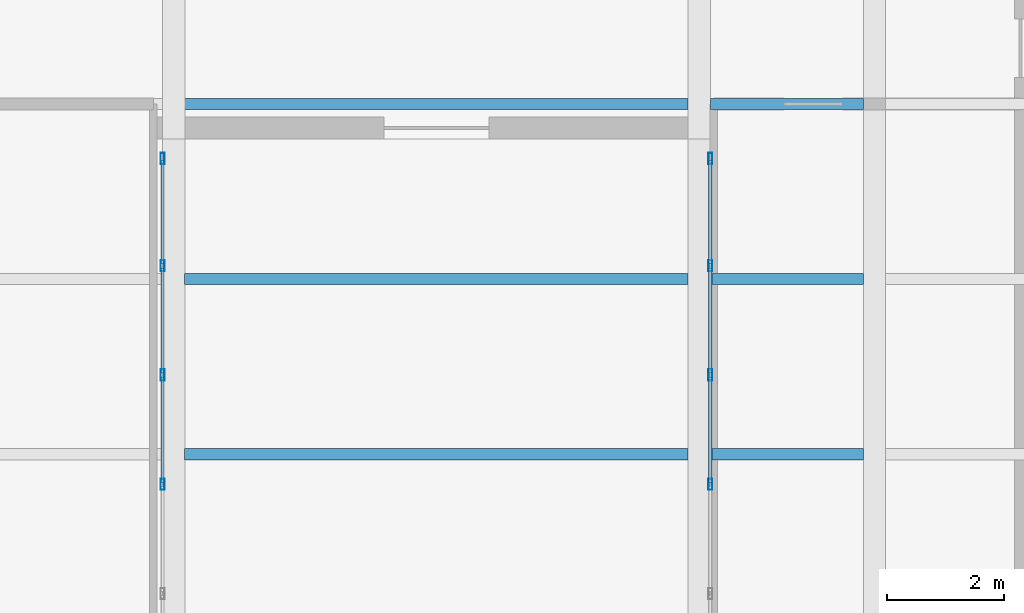
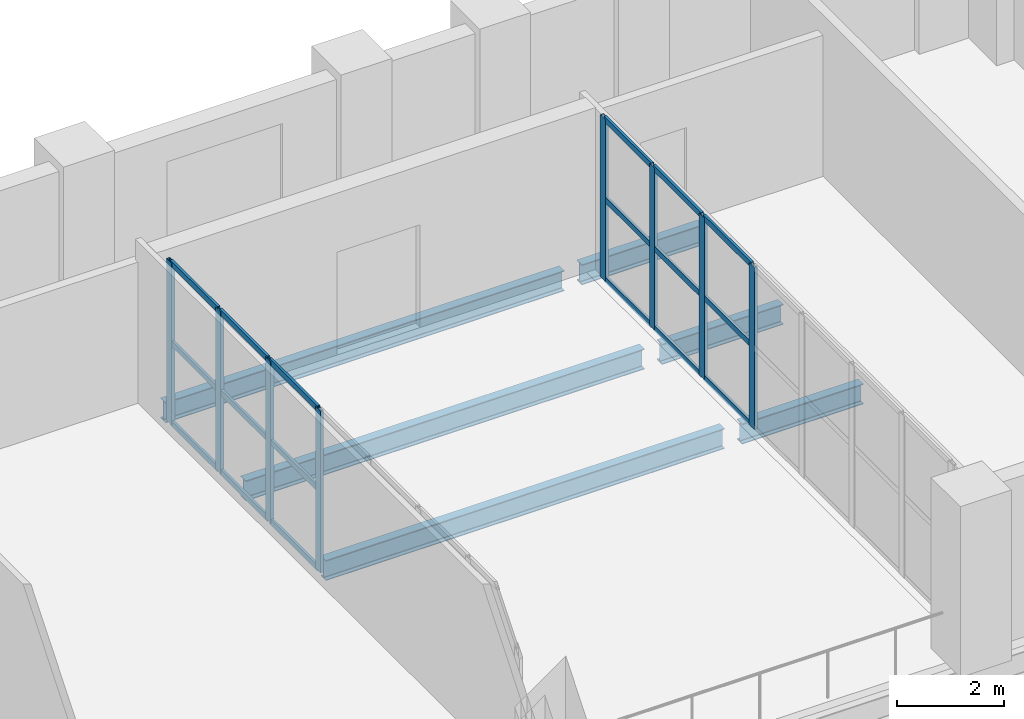
# One storey, part 5 of 12: 26 members, 6 beams, 2 elements without a shape of their own.
"""IFC4 building model written with IfcOpenShell, lengths in metres."""

from ifc_helpers import new_model, si_unit, direction, frame, origin, origin_2d, place, context, subcontext, project, spatial, hollow_rectangle, i_section, extrude, material, layer, layer_set, material_profile, profile_set, type_object, element, aggregate, save


model = new_model("IFC4")

# Units and contexts
model_context = context("Model", 3, precision=1e-05, world=origin(), true_north=direction((0.0, 1.0)))
body_context = subcontext(model_context, "Body", "Model", "MODEL_VIEW")
ifc_project = project(units=[si_unit("LENGTHUNIT", "METRE"), si_unit("AREAUNIT", "SQUARE_METRE"), si_unit("VOLUMEUNIT", "CUBIC_METRE"), si_unit("PLANEANGLEUNIT", "RADIAN"), si_unit("MASSUNIT", "GRAM", prefix="KILO")], contexts=[model_context])

# Site, building, storey
site_placement = place(None, origin())
site = spatial("IfcSite", under=ifc_project, at=site_placement, CompositionType="ELEMENT")
building_placement = place(site_placement, origin())
building = spatial("IfcBuilding", under=site, at=building_placement, Name="Mawjdan Bourse Tower", CompositionType="ELEMENT")
storey_placement = place(building_placement, frame((0.0, 0.0, 120.60009765625)))
storey = spatial("IfcBuildingStorey", under=building, at=storey_placement, Name="L28", CompositionType="ELEMENT", Elevation=120.60009765625)

# Beams
ifc_material_1 = material(Name="Structural Steel S355", Category="steel")
ifc_material_profile_1 = material_profile(ifc_material_1, i_section(OverallWidth=0.19189453125, OverallDepth=0.462890625, WebThickness=0.010498046875, FlangeThickness=0.017578125, FilletRadius=0.01416015625, at=origin_2d()), Name="W18X60")
ifc_profile_set_1 = profile_set([ifc_material_profile_1], Name="Structural Steel S355")
beam_type = type_object("IfcBeamType", Name="JST-W18X60", PredefinedType="JOIST", material=ifc_profile_set_1)
beam_1_placement = place(storey_placement, frame((42.1884765625, 12.0, -0.401611328125), z_axis=(1.0, 0.0, 0.0), x_axis=(0.0, 1.0, 0.0)))
element("IfcBeam", 1, at=beam_1_placement, inside=storey, type_object=beam_type, Name="L28 L28 Portal Sky Deck Joist 037", PredefinedType="JOIST", context=body_context, shape_type="SweptSolid", body=[
    extrude(i_section(OverallWidth=0.19189453125, OverallDepth=0.462890625, WebThickness=0.010498046875, FlangeThickness=0.017578125, FilletRadius=0.01416015625, at=origin_2d()), origin(), (0.0, 0.0, 1.0), 8.623046875),
])
beam_2_placement = place(storey_placement, frame((51.1884765625, 12.0, -0.431640625), z_axis=(1.0, 0.0, 0.0), x_axis=(0.0, 1.0, 0.0)))
element("IfcBeam", 2, at=beam_2_placement, inside=storey, type_object=beam_type, Name="L28 East Wing Composite Joist 038", PredefinedType="JOIST", context=body_context, shape_type="SweptSolid", body=[
    extrude(i_section(OverallWidth=0.19189453125, OverallDepth=0.462890625, WebThickness=0.010498046875, FlangeThickness=0.017578125, FilletRadius=0.01416015625, at=origin_2d()), origin(), (0.0, 0.0, 1.0), 2.623046875),
])
beam_3_placement = place(storey_placement, frame((42.1884765625, 15.0, -0.401611328125), z_axis=(1.0, 0.0, 0.0), x_axis=(0.0, 1.0, 0.0)))
element("IfcBeam", 3, at=beam_3_placement, inside=storey, type_object=beam_type, Name="L28 L28 Portal Sky Deck Joist 043", PredefinedType="JOIST", context=body_context, shape_type="SweptSolid", body=[
    extrude(i_section(OverallWidth=0.19189453125, OverallDepth=0.462890625, WebThickness=0.010498046875, FlangeThickness=0.017578125, FilletRadius=0.01416015625, at=origin_2d()), origin(), (0.0, 0.0, 1.0), 8.623046875),
])
beam_4_placement = place(storey_placement, frame((51.1884765625, 15.0, -0.431640625), z_axis=(1.0, 0.0, 0.0), x_axis=(0.0, 1.0, 0.0)))
element("IfcBeam", 4, at=beam_4_placement, inside=storey, type_object=beam_type, Name="L28 East Wing Composite Joist 044", PredefinedType="JOIST", context=body_context, shape_type="SweptSolid", body=[
    extrude(i_section(OverallWidth=0.19189453125, OverallDepth=0.462890625, WebThickness=0.010498046875, FlangeThickness=0.017578125, FilletRadius=0.01416015625, at=origin_2d()), origin(), (0.0, 0.0, 1.0), 2.623046875),
])
beam_5_placement = place(storey_placement, frame((42.1884765625, 18.0, -0.431640625), z_axis=(1.0, 0.0, 0.0), x_axis=(0.0, 1.0, 0.0)))
element("IfcBeam", 5, at=beam_5_placement, inside=storey, type_object=beam_type, Name="L28 East Wing Composite Joist 049", PredefinedType="JOIST", context=body_context, shape_type="SweptSolid", body=[
    extrude(i_section(OverallWidth=0.19189453125, OverallDepth=0.462890625, WebThickness=0.010498046875, FlangeThickness=0.017578125, FilletRadius=0.01416015625, at=origin_2d()), origin(), (0.0, 0.0, 1.0), 8.623046875),
])
beam_6_placement = place(storey_placement, frame((51.1884765625, 18.0, -0.431640625), z_axis=(1.0, 0.0, 0.0), x_axis=(0.0, 1.0, 0.0)))
element("IfcBeam", 6, at=beam_6_placement, inside=storey, type_object=beam_type, Name="L28 East Wing Composite Joist 050", PredefinedType="JOIST", context=body_context, shape_type="SweptSolid", body=[
    extrude(i_section(OverallWidth=0.19189453125, OverallDepth=0.462890625, WebThickness=0.010498046875, FlangeThickness=0.017578125, FilletRadius=0.01416015625, at=origin_2d()), origin(), (0.0, 0.0, 1.0), 2.623046875),
])

# Curtain wall, members
ifc_material_2 = material(Name="Thermally Broken Aluminium and Solar Glass", Category="aluminium")
ifc_layer = layer(ifc_material_2, 0.219970703125)
ifc_layer_set = layer_set([ifc_layer], Name="Thermally Broken Aluminium and Solar Glass")
curtain_wall_type = type_object("IfcCurtainWallType", Name="CW-POR", PredefinedType="USERDEFINED", material=ifc_layer_set)
curtain_wall_1_placement = place(storey_placement, origin())
curtain_wall_1 = element("IfcCurtainWall", 7, at=curtain_wall_1_placement, inside=storey, type_object=curtain_wall_type, Name="L28 East Void Portal Glazed Cheek 1", ObjectType="VOID PORTAL CURTAIN WALL", PredefinedType="USERDEFINED")
ifc_material_3 = material(Name="Thermally Broken Anodised Aluminium", Category="aluminium")
ifc_material_profile_2 = material_profile(ifc_material_3, hollow_rectangle(XDim=0.070068359375, YDim=0.18994140625, WallThickness=0.00439453125, at=origin_2d()), Name="ALU-MUL-190X70")
ifc_profile_set_2 = profile_set([ifc_material_profile_2], Name="Thermally Broken Anodised Aluminium")
member_type_1 = type_object("IfcMemberType", Name="MUL-ALU-MUL-190X70", PredefinedType="MULLION", material=ifc_profile_set_2)
member_1_placement = place(storey_placement, frame((41.81005859375, 11.485595703125, 0.0), z_axis=(0.0, 0.0, 1.0), x_axis=(-1.0, 0.0, 0.0)))
member_1 = element("IfcMember", 8, at=member_1_placement, type_object=member_type_1, Name="CW-POR-L28-POR-E1 mullion 5", PredefinedType="MULLION", context=body_context, shape_type="SweptSolid", body=[
    extrude(hollow_rectangle(XDim=0.070068359375, YDim=0.18994140625, WallThickness=0.00439453125, at=origin_2d()), origin(), (0.0, 0.0, 1.0), 3.699951171875),
])
member_2_placement = place(storey_placement, frame((41.81005859375, 13.357177734375, 0.0), z_axis=(0.0, 0.0, 1.0), x_axis=(-1.0, 0.0, 0.0)))
member_2 = element("IfcMember", 9, at=member_2_placement, type_object=member_type_1, Name="CW-POR-L28-POR-E1 mullion 6", PredefinedType="MULLION", context=body_context, shape_type="SweptSolid", body=[
    extrude(hollow_rectangle(XDim=0.070068359375, YDim=0.18994140625, WallThickness=0.00439453125, at=origin_2d()), origin(), (0.0, 0.0, 1.0), 3.699951171875),
])
member_3_placement = place(storey_placement, frame((41.81005859375, 15.228515625, 0.0), z_axis=(0.0, 0.0, 1.0), x_axis=(-1.0, 0.0, 0.0)))
member_3 = element("IfcMember", 10, at=member_3_placement, type_object=member_type_1, Name="CW-POR-L28-POR-E1 mullion 7", PredefinedType="MULLION", context=body_context, shape_type="SweptSolid", body=[
    extrude(hollow_rectangle(XDim=0.070068359375, YDim=0.18994140625, WallThickness=0.00439453125, at=origin_2d()), origin(), (0.0, 0.0, 1.0), 3.699951171875),
])
member_4_placement = place(storey_placement, frame((41.81005859375, 17.06494140625, 0.0), z_axis=(0.0, 0.0, 1.0), x_axis=(-1.0, 0.0, 0.0)))
member_4 = element("IfcMember", 11, at=member_4_placement, type_object=member_type_1, Name="CW-POR-L28-POR-E1 mullion 8", PredefinedType="MULLION", context=body_context, shape_type="SweptSolid", body=[
    extrude(hollow_rectangle(XDim=0.070068359375, YDim=0.18994140625, WallThickness=0.00439453125, at=origin_2d()), origin(), (0.0, 0.0, 1.0), 3.699951171875),
])

curtain_wall_2_placement = place(storey_placement, origin())
curtain_wall_2 = element("IfcCurtainWall", 12, at=curtain_wall_2_placement, inside=storey, type_object=curtain_wall_type, Name="L28 East Void Portal Glazed Cheek 3", ObjectType="VOID PORTAL CURTAIN WALL", PredefinedType="USERDEFINED")
member_5_placement = place(storey_placement, frame((51.18994140625, 17.06494140625, 0.0), z_axis=(0.0, 0.0, 1.0), x_axis=(1.0, 0.0, 0.0)))
member_5 = element("IfcMember", 13, at=member_5_placement, type_object=member_type_1, Name="CW-POR-L28-POR-E3 mullion 1", PredefinedType="MULLION", context=body_context, shape_type="SweptSolid", body=[
    extrude(hollow_rectangle(XDim=0.070068359375, YDim=0.18994140625, WallThickness=0.00439453125, at=origin_2d()), origin(), (0.0, 0.0, 1.0), 3.699951171875),
])
member_6_placement = place(storey_placement, frame((51.18994140625, 15.228515625, 0.0), z_axis=(0.0, 0.0, 1.0), x_axis=(1.0, 0.0, 0.0)))
member_6 = element("IfcMember", 14, at=member_6_placement, type_object=member_type_1, Name="CW-POR-L28-POR-E3 mullion 2", PredefinedType="MULLION", context=body_context, shape_type="SweptSolid", body=[
    extrude(hollow_rectangle(XDim=0.070068359375, YDim=0.18994140625, WallThickness=0.00439453125, at=origin_2d()), origin(), (0.0, 0.0, 1.0), 3.699951171875),
])
member_7_placement = place(storey_placement, frame((51.18994140625, 13.357177734375, 0.0), z_axis=(0.0, 0.0, 1.0), x_axis=(1.0, 0.0, 0.0)))
member_7 = element("IfcMember", 15, at=member_7_placement, type_object=member_type_1, Name="CW-POR-L28-POR-E3 mullion 3", PredefinedType="MULLION", context=body_context, shape_type="SweptSolid", body=[
    extrude(hollow_rectangle(XDim=0.070068359375, YDim=0.18994140625, WallThickness=0.00439453125, at=origin_2d()), origin(), (0.0, 0.0, 1.0), 3.699951171875),
])
member_8_placement = place(storey_placement, frame((51.18994140625, 11.485595703125, 0.0), z_axis=(0.0, 0.0, 1.0), x_axis=(1.0, 0.0, 0.0)))
member_8 = element("IfcMember", 16, at=member_8_placement, type_object=member_type_1, Name="CW-POR-L28-POR-E3 mullion 4", PredefinedType="MULLION", context=body_context, shape_type="SweptSolid", body=[
    extrude(hollow_rectangle(XDim=0.070068359375, YDim=0.18994140625, WallThickness=0.00439453125, at=origin_2d()), origin(), (0.0, 0.0, 1.0), 3.699951171875),
])

# Member
ifc_material_profile_3 = material_profile(ifc_material_3, hollow_rectangle(XDim=0.054931640625, YDim=0.1298828125, WallThickness=0.00341796875, at=origin_2d()), Name="ALU-TRN-130X55")
ifc_profile_set_3 = profile_set([ifc_material_profile_3], Name="Thermally Broken Anodised Aluminium")
member_type_2 = type_object("IfcMemberType", Name="TRN-ALU-TRN-130X55", PredefinedType="USERDEFINED", material=ifc_profile_set_3)
member_9_placement = place(storey_placement, frame((41.81005859375, 11.520751953125, 0.02734375), z_axis=(0.0, 1.0, 0.0), x_axis=(-1.0, 0.0, 0.0)))
member_9 = element("IfcMember", 17, at=member_9_placement, type_object=member_type_2, Name="CW-POR-L28-POR-E1 transom 5.1", ObjectType="TRANSOM", PredefinedType="USERDEFINED", context=body_context, shape_type="SweptSolid", body=[
    extrude(hollow_rectangle(XDim=0.054931640625, YDim=0.1298828125, WallThickness=0.00341796875, at=origin_2d()), origin(), (0.0, 0.0, 1.0), 1.80126953125),
])

member_10_placement = place(storey_placement, frame((41.81005859375, 11.520751953125, 1.849853515625), z_axis=(0.0, 1.0, 0.0), x_axis=(-1.0, 0.0, 0.0)))
member_10 = element("IfcMember", 18, at=member_10_placement, type_object=member_type_2, Name="CW-POR-L28-POR-E1 transom 5.2", ObjectType="TRANSOM", PredefinedType="USERDEFINED", context=body_context, shape_type="SweptSolid", body=[
    extrude(hollow_rectangle(XDim=0.054931640625, YDim=0.1298828125, WallThickness=0.00341796875, at=origin_2d()), origin(), (0.0, 0.0, 1.0), 1.80126953125),
])

member_11_placement = place(storey_placement, frame((41.81005859375, 11.520751953125, 3.67236328125), z_axis=(0.0, 1.0, 0.0), x_axis=(-1.0, 0.0, 0.0)))
member_11 = element("IfcMember", 19, at=member_11_placement, type_object=member_type_2, Name="CW-POR-L28-POR-E1 transom 5.3", ObjectType="TRANSOM", PredefinedType="USERDEFINED", context=body_context, shape_type="SweptSolid", body=[
    extrude(hollow_rectangle(XDim=0.054931640625, YDim=0.1298828125, WallThickness=0.00341796875, at=origin_2d()), origin(), (0.0, 0.0, 1.0), 1.80126953125),
])

member_12_placement = place(storey_placement, frame((41.81005859375, 13.39208984375, 0.02734375), z_axis=(0.0, 1.0, 0.0), x_axis=(-1.0, 0.0, 0.0)))
member_12 = element("IfcMember", 20, at=member_12_placement, type_object=member_type_2, Name="CW-POR-L28-POR-E1 transom 6.1", ObjectType="TRANSOM", PredefinedType="USERDEFINED", context=body_context, shape_type="SweptSolid", body=[
    extrude(hollow_rectangle(XDim=0.054931640625, YDim=0.1298828125, WallThickness=0.00341796875, at=origin_2d()), origin(), (0.0, 0.0, 1.0), 1.801513671875),
])

member_13_placement = place(storey_placement, frame((41.81005859375, 13.39208984375, 1.849853515625), z_axis=(0.0, 1.0, 0.0), x_axis=(-1.0, 0.0, 0.0)))
member_13 = element("IfcMember", 21, at=member_13_placement, type_object=member_type_2, Name="CW-POR-L28-POR-E1 transom 6.2", ObjectType="TRANSOM", PredefinedType="USERDEFINED", context=body_context, shape_type="SweptSolid", body=[
    extrude(hollow_rectangle(XDim=0.054931640625, YDim=0.1298828125, WallThickness=0.00341796875, at=origin_2d()), origin(), (0.0, 0.0, 1.0), 1.801513671875),
])

member_14_placement = place(storey_placement, frame((41.81005859375, 13.39208984375, 3.67236328125), z_axis=(0.0, 1.0, 0.0), x_axis=(-1.0, 0.0, 0.0)))
member_14 = element("IfcMember", 22, at=member_14_placement, type_object=member_type_2, Name="CW-POR-L28-POR-E1 transom 6.3", ObjectType="TRANSOM", PredefinedType="USERDEFINED", context=body_context, shape_type="SweptSolid", body=[
    extrude(hollow_rectangle(XDim=0.054931640625, YDim=0.1298828125, WallThickness=0.00341796875, at=origin_2d()), origin(), (0.0, 0.0, 1.0), 1.801513671875),
])

member_15_placement = place(storey_placement, frame((41.81005859375, 15.263671875, 0.02734375), z_axis=(0.0, 1.0, 0.0), x_axis=(-1.0, 0.0, 0.0)))
member_15 = element("IfcMember", 23, at=member_15_placement, type_object=member_type_2, Name="CW-POR-L28-POR-E1 transom 7.1", ObjectType="TRANSOM", PredefinedType="USERDEFINED", context=body_context, shape_type="SweptSolid", body=[
    extrude(hollow_rectangle(XDim=0.054931640625, YDim=0.1298828125, WallThickness=0.00341796875, at=origin_2d()), origin(), (0.0, 0.0, 1.0), 1.766357421875),
])

member_16_placement = place(storey_placement, frame((41.81005859375, 15.263671875, 1.849853515625), z_axis=(0.0, 1.0, 0.0), x_axis=(-1.0, 0.0, 0.0)))
member_16 = element("IfcMember", 24, at=member_16_placement, type_object=member_type_2, Name="CW-POR-L28-POR-E1 transom 7.2", ObjectType="TRANSOM", PredefinedType="USERDEFINED", context=body_context, shape_type="SweptSolid", body=[
    extrude(hollow_rectangle(XDim=0.054931640625, YDim=0.1298828125, WallThickness=0.00341796875, at=origin_2d()), origin(), (0.0, 0.0, 1.0), 1.766357421875),
])

member_17_placement = place(storey_placement, frame((41.81005859375, 15.263671875, 3.67236328125), z_axis=(0.0, 1.0, 0.0), x_axis=(-1.0, 0.0, 0.0)))
member_17 = element("IfcMember", 25, at=member_17_placement, type_object=member_type_2, Name="CW-POR-L28-POR-E1 transom 7.3", ObjectType="TRANSOM", PredefinedType="USERDEFINED", context=body_context, shape_type="SweptSolid", body=[
    extrude(hollow_rectangle(XDim=0.054931640625, YDim=0.1298828125, WallThickness=0.00341796875, at=origin_2d()), origin(), (0.0, 0.0, 1.0), 1.766357421875),
])

aggregate(curtain_wall_1, [member_1, member_2, member_3, member_4, member_9, member_10, member_11, member_12, member_13, member_14, member_15, member_16, member_17])

member_18_placement = place(storey_placement, frame((51.18994140625, 17.030029296875, 0.02734375), z_axis=(0.0, -1.0, 0.0), x_axis=(1.0, 0.0, 0.0)))
member_18 = element("IfcMember", 26, at=member_18_placement, type_object=member_type_2, Name="CW-POR-L28-POR-E3 transom 1.1", ObjectType="TRANSOM", PredefinedType="USERDEFINED", context=body_context, shape_type="SweptSolid", body=[
    extrude(hollow_rectangle(XDim=0.054931640625, YDim=0.1298828125, WallThickness=0.00341796875, at=origin_2d()), origin(), (0.0, 0.0, 1.0), 1.766357421875),
])

member_19_placement = place(storey_placement, frame((51.18994140625, 17.030029296875, 1.849853515625), z_axis=(0.0, -1.0, 0.0), x_axis=(1.0, 0.0, 0.0)))
member_19 = element("IfcMember", 27, at=member_19_placement, type_object=member_type_2, Name="CW-POR-L28-POR-E3 transom 1.2", ObjectType="TRANSOM", PredefinedType="USERDEFINED", context=body_context, shape_type="SweptSolid", body=[
    extrude(hollow_rectangle(XDim=0.054931640625, YDim=0.1298828125, WallThickness=0.00341796875, at=origin_2d()), origin(), (0.0, 0.0, 1.0), 1.766357421875),
])

member_20_placement = place(storey_placement, frame((51.18994140625, 17.030029296875, 3.67236328125), z_axis=(0.0, -1.0, 0.0), x_axis=(1.0, 0.0, 0.0)))
member_20 = element("IfcMember", 28, at=member_20_placement, type_object=member_type_2, Name="CW-POR-L28-POR-E3 transom 1.3", ObjectType="TRANSOM", PredefinedType="USERDEFINED", context=body_context, shape_type="SweptSolid", body=[
    extrude(hollow_rectangle(XDim=0.054931640625, YDim=0.1298828125, WallThickness=0.00341796875, at=origin_2d()), origin(), (0.0, 0.0, 1.0), 1.766357421875),
])

member_21_placement = place(storey_placement, frame((51.18994140625, 15.193603515625, 0.02734375), z_axis=(0.0, -1.0, 0.0), x_axis=(1.0, 0.0, 0.0)))
member_21 = element("IfcMember", 29, at=member_21_placement, type_object=member_type_2, Name="CW-POR-L28-POR-E3 transom 2.1", ObjectType="TRANSOM", PredefinedType="USERDEFINED", context=body_context, shape_type="SweptSolid", body=[
    extrude(hollow_rectangle(XDim=0.054931640625, YDim=0.1298828125, WallThickness=0.00341796875, at=origin_2d()), origin(), (0.0, 0.0, 1.0), 1.801513671875),
])

member_22_placement = place(storey_placement, frame((51.18994140625, 15.193603515625, 1.849853515625), z_axis=(0.0, -1.0, 0.0), x_axis=(1.0, 0.0, 0.0)))
member_22 = element("IfcMember", 30, at=member_22_placement, type_object=member_type_2, Name="CW-POR-L28-POR-E3 transom 2.2", ObjectType="TRANSOM", PredefinedType="USERDEFINED", context=body_context, shape_type="SweptSolid", body=[
    extrude(hollow_rectangle(XDim=0.054931640625, YDim=0.1298828125, WallThickness=0.00341796875, at=origin_2d()), origin(), (0.0, 0.0, 1.0), 1.801513671875),
])

member_23_placement = place(storey_placement, frame((51.18994140625, 15.193603515625, 3.67236328125), z_axis=(0.0, -1.0, 0.0), x_axis=(1.0, 0.0, 0.0)))
member_23 = element("IfcMember", 31, at=member_23_placement, type_object=member_type_2, Name="CW-POR-L28-POR-E3 transom 2.3", ObjectType="TRANSOM", PredefinedType="USERDEFINED", context=body_context, shape_type="SweptSolid", body=[
    extrude(hollow_rectangle(XDim=0.054931640625, YDim=0.1298828125, WallThickness=0.00341796875, at=origin_2d()), origin(), (0.0, 0.0, 1.0), 1.801513671875),
])

member_24_placement = place(storey_placement, frame((51.18994140625, 13.322021484375, 0.02734375), z_axis=(0.0, -1.0, 0.0), x_axis=(1.0, 0.0, 0.0)))
member_24 = element("IfcMember", 32, at=member_24_placement, type_object=member_type_2, Name="CW-POR-L28-POR-E3 transom 3.1", ObjectType="TRANSOM", PredefinedType="USERDEFINED", context=body_context, shape_type="SweptSolid", body=[
    extrude(hollow_rectangle(XDim=0.054931640625, YDim=0.1298828125, WallThickness=0.00341796875, at=origin_2d()), origin(), (0.0, 0.0, 1.0), 1.80126953125),
])

member_25_placement = place(storey_placement, frame((51.18994140625, 13.322021484375, 1.849853515625), z_axis=(0.0, -1.0, 0.0), x_axis=(1.0, 0.0, 0.0)))
member_25 = element("IfcMember", 33, at=member_25_placement, type_object=member_type_2, Name="CW-POR-L28-POR-E3 transom 3.2", ObjectType="TRANSOM", PredefinedType="USERDEFINED", context=body_context, shape_type="SweptSolid", body=[
    extrude(hollow_rectangle(XDim=0.054931640625, YDim=0.1298828125, WallThickness=0.00341796875, at=origin_2d()), origin(), (0.0, 0.0, 1.0), 1.80126953125),
])

member_26_placement = place(storey_placement, frame((51.18994140625, 13.322021484375, 3.67236328125), z_axis=(0.0, -1.0, 0.0), x_axis=(1.0, 0.0, 0.0)))
member_26 = element("IfcMember", 34, at=member_26_placement, type_object=member_type_2, Name="CW-POR-L28-POR-E3 transom 3.3", ObjectType="TRANSOM", PredefinedType="USERDEFINED", context=body_context, shape_type="SweptSolid", body=[
    extrude(hollow_rectangle(XDim=0.054931640625, YDim=0.1298828125, WallThickness=0.00341796875, at=origin_2d()), origin(), (0.0, 0.0, 1.0), 1.80126953125),
])

aggregate(curtain_wall_2, [member_5, member_6, member_7, member_8, member_18, member_19, member_20, member_21, member_22, member_23, member_24, member_25, member_26])

save(model, "model.ifc")
